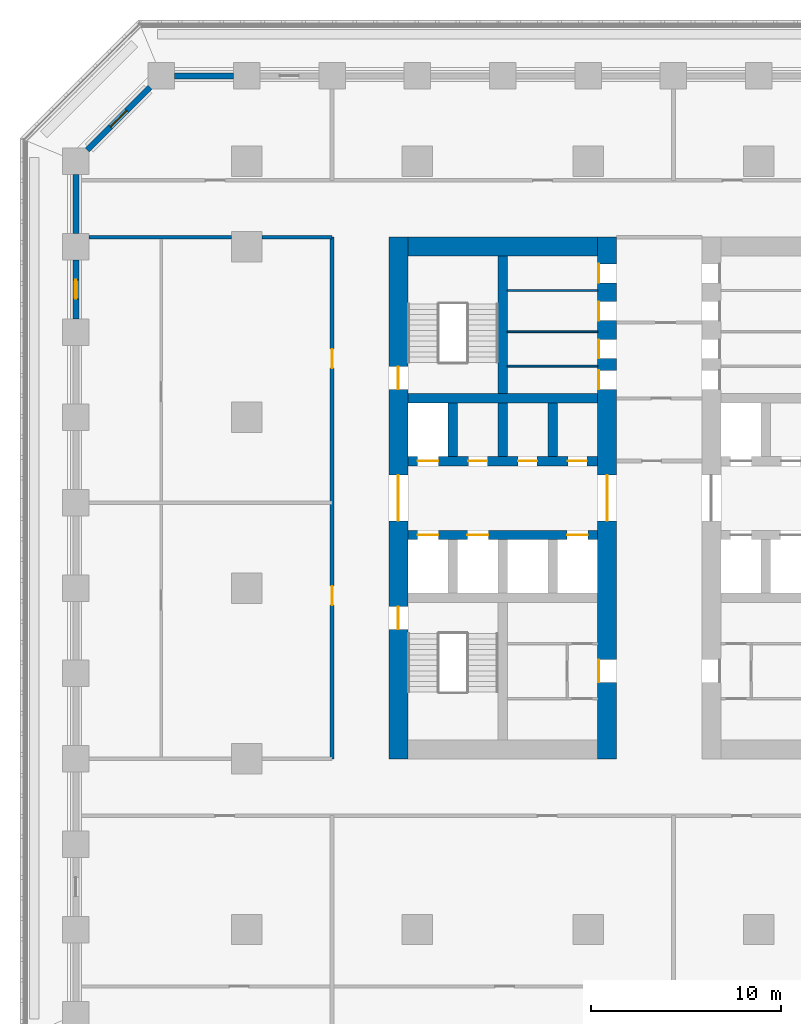
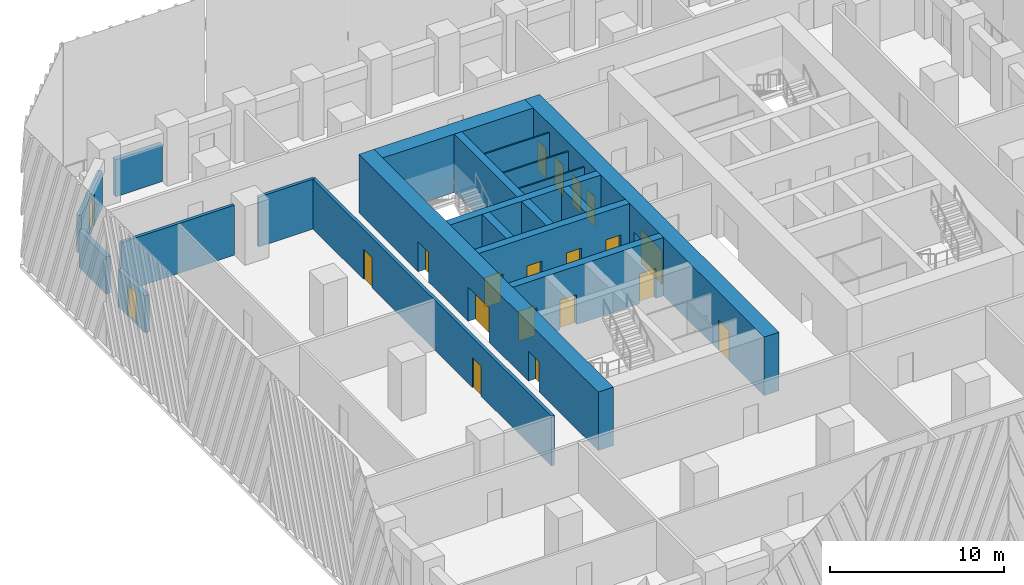
# One storey, part 4 of 12: 20 doors, 20 walls, 20 openings.
"""IFC4 building model written with IfcOpenShell, lengths in metres."""

from ifc_helpers import new_model, si_unit, direction, frame, frame_2d, origin, place, context, subcontext, project, spatial, rectangle, extrude, material, layer, layer_set, type_object, element, fill, save


model = new_model("IFC4")

# Units and contexts
model_context = context("Model", 3, precision=1e-05, world=origin(), true_north=direction((0.0, 1.0)))
body_context = subcontext(model_context, "Body", "Model", "MODEL_VIEW")
ifc_project = project(units=[si_unit("LENGTHUNIT", "METRE"), si_unit("AREAUNIT", "SQUARE_METRE"), si_unit("VOLUMEUNIT", "CUBIC_METRE"), si_unit("PLANEANGLEUNIT", "RADIAN"), si_unit("MASSUNIT", "GRAM", prefix="KILO")], contexts=[model_context])

# Site, building, storey
site_placement = place(None, origin())
site = spatial("IfcSite", under=ifc_project, at=site_placement, CompositionType="ELEMENT")
building_placement = place(site_placement, origin())
building = spatial("IfcBuilding", under=site, at=building_placement, Name="Corbel Stack Research Tower", CompositionType="ELEMENT")
storey_placement = place(building_placement, frame((0.0, 0.0, 31.800048828125)))
storey = spatial("IfcBuildingStorey", under=building, at=storey_placement, Name="L07", CompositionType="ELEMENT", Elevation=31.800048828125)

# Wall, openings, doors
ifc_material_1 = material(Name="Concrete C70/85", Category="concrete")
ifc_layer_1 = layer(ifc_material_1, 1.0)
ifc_layer_set_1 = layer_set([ifc_layer_1], Name="Concrete C70/85")
wall_type_1 = type_object("IfcWallType", Name="CW-1000-70", PredefinedType="SHEAR", material=ifc_layer_set_1)
wall_1_placement = place(storey_placement, frame((-10.0, -9.0, 0.0), z_axis=(0.0, 0.0, 1.0), x_axis=(0.0, 1.0, 0.0)))
wall_1 = element("IfcWall", 1, at=wall_1_placement, inside=storey, type_object=wall_type_1, Name="West core wall, west face L07", PredefinedType="SHEAR", context=body_context, shape_type="SweptSolid", body=[
    extrude(rectangle(XDim=27.5, YDim=1.0, at=frame_2d((13.75, 0.0))), origin(), (0.0, 0.0, 1.0), 4.099853515625),
])
opening_1_placement = place(wall_1_placement, frame((12.550048828125, 0.0, 0.0)))
opening_1 = element("IfcOpeningElement", 2, at=opening_1_placement, cuts=wall_1, Name="Opening CD-W-W", PredefinedType="OPENING", context=body_context, shape_type="SweptSolid", body=[
    extrude(rectangle(XDim=2.39990234375, YDim=2.39990234375, at=frame_2d((1.199951171875, 1.199951171875))), frame((0.0, 0.510009765625, 0.0), z_axis=(0.0, -1.0, 0.0), x_axis=(1.0, 0.0, 0.0)), (0.0, 0.0, 1.0), 1.02001953125),
])
opening_2_placement = place(wall_1_placement, frame((6.824951171875, 0.0, 0.0)))
opening_2 = element("IfcOpeningElement", 3, at=opening_2_placement, cuts=wall_1, Name="Opening SD-ST-W1", PredefinedType="OPENING", context=body_context, shape_type="SweptSolid", body=[
    extrude(rectangle(XDim=1.199951171875, YDim=2.10009765625, at=frame_2d((0.60009765625, 1.050048828125))), frame((0.0, 0.510009765625, 0.0), z_axis=(0.0, -1.0, 0.0), x_axis=(1.0, 0.0, 0.0)), (0.0, 0.0, 1.0), 1.02001953125),
])
opening_3_placement = place(wall_1_placement, frame((19.47509765625, 0.0, 0.0)))
opening_3 = element("IfcOpeningElement", 4, at=opening_3_placement, cuts=wall_1, Name="Opening SD-ST-W2", PredefinedType="OPENING", context=body_context, shape_type="SweptSolid", body=[
    extrude(rectangle(XDim=1.199951171875, YDim=2.10009765625, at=frame_2d((0.60009765625, 1.050048828125))), frame((0.0, 0.510009765625, 0.0), z_axis=(0.0, -1.0, 0.0), x_axis=(1.0, 0.0, 0.0)), (0.0, 0.0, 1.0), 1.02001953125),
])
ifc_material_2 = material(Name="Painted steel fire door", Category="steel")
door_type_1 = type_object("IfcDoorType", Name="Lobby door pair 2400 x 2400 FD30S", OperationType="DOUBLE_DOOR_DOUBLE_SWING", PredefinedType="DOOR", material=ifc_material_2)
door_1_placement = place(opening_1_placement, origin())
door_1 = element("IfcDoor", 5, at=door_1_placement, inside=storey, type_object=door_type_1, Name="Lift lobby door W core W", OperationType="DOUBLE_DOOR_DOUBLE_SWING", OverallHeight=2.39990234375, OverallWidth=2.39990234375, PredefinedType="DOOR", context=body_context, shape_type="SweptSolid", body=[
    extrude(rectangle(XDim=2.39990234375, YDim=2.39990234375, at=frame_2d((1.199951171875, 1.199951171875))), frame((0.0, 0.02490234375, 0.0), z_axis=(0.0, -1.0, 0.0), x_axis=(1.0, 0.0, 0.0)), (0.0, 0.0, 1.0), 0.050048828125),
])
fill(opening_1, door_1)
ifc_material_3 = material(Name="Painted steel fire door", Category="steel")
door_type_2 = type_object("IfcDoorType", Name="Stair door 1200 x 2100 FD90 left hand", OperationType="SINGLE_SWING_LEFT", PredefinedType="DOOR", material=ifc_material_3)
door_2_placement = place(opening_2_placement, origin())
door_2 = element("IfcDoor", 6, at=door_2_placement, inside=storey, type_object=door_type_2, Name="Stair door ST-W1", OperationType="SINGLE_SWING_LEFT", OverallHeight=2.10009765625, OverallWidth=1.199951171875, PredefinedType="DOOR", context=body_context, shape_type="SweptSolid", body=[
    extrude(rectangle(XDim=1.199951171875, YDim=2.10009765625, at=frame_2d((0.60009765625, 1.050048828125))), frame((0.0, 0.02490234375, 0.0), z_axis=(0.0, -1.0, 0.0), x_axis=(1.0, 0.0, 0.0)), (0.0, 0.0, 1.0), 0.050048828125),
])
fill(opening_2, door_2)
door_3_placement = place(opening_3_placement, origin())
door_3 = element("IfcDoor", 7, at=door_3_placement, inside=storey, type_object=door_type_2, Name="Stair door ST-W2", OperationType="SINGLE_SWING_LEFT", OverallHeight=2.10009765625, OverallWidth=1.199951171875, PredefinedType="DOOR", context=body_context, shape_type="SweptSolid", body=[
    extrude(rectangle(XDim=1.199951171875, YDim=2.10009765625, at=frame_2d((0.60009765625, 1.050048828125))), frame((0.0, 0.02490234375, 0.0), z_axis=(0.0, -1.0, 0.0), x_axis=(1.0, 0.0, 0.0)), (0.0, 0.0, 1.0), 0.050048828125),
])
fill(opening_3, door_3)

wall_2_placement = place(storey_placement, frame((1.0, -9.0, 0.0), z_axis=(0.0, 0.0, 1.0), x_axis=(0.0, 1.0, 0.0)))
wall_2 = element("IfcWall", 8, at=wall_2_placement, inside=storey, type_object=wall_type_1, Name="West core wall, east face L07", PredefinedType="SHEAR", context=body_context, shape_type="SweptSolid", body=[
    extrude(rectangle(XDim=27.5, YDim=1.0, at=frame_2d((13.75, 0.0))), origin(), (0.0, 0.0, 1.0), 4.099853515625),
])
opening_4_placement = place(wall_2_placement, frame((12.550048828125, 0.0, 0.0)))
opening_4 = element("IfcOpeningElement", 9, at=opening_4_placement, cuts=wall_2, Name="Opening CD-W-E", PredefinedType="OPENING", context=body_context, shape_type="SweptSolid", body=[
    extrude(rectangle(XDim=2.39990234375, YDim=2.39990234375, at=frame_2d((1.199951171875, 1.199951171875))), frame((0.0, 0.510009765625, 0.0), z_axis=(0.0, -1.0, 0.0), x_axis=(1.0, 0.0, 0.0)), (0.0, 0.0, 1.0), 1.02001953125),
])
opening_5_placement = place(wall_2_placement, frame((4.02490234375, 0.0, 0.0)))
opening_5 = element("IfcOpeningElement", 10, at=opening_5_placement, cuts=wall_2, Name="Opening CR-W36-W1-1200", PredefinedType="OPENING", context=body_context, shape_type="SweptSolid", body=[
    extrude(rectangle(XDim=1.199951171875, YDim=2.10009765625, at=frame_2d((0.60009765625, 1.050048828125))), frame((0.0, 0.510009765625, 0.0), z_axis=(0.0, -1.0, 0.0), x_axis=(1.0, 0.0, 0.0)), (0.0, 0.0, 1.0), 1.02001953125),
])
opening_6_placement = place(wall_2_placement, frame((19.47509765625, 0.0, 0.0)))
opening_6 = element("IfcOpeningElement", 11, at=opening_6_placement, cuts=wall_2, Name="Opening CR-W36-R1-1000", PredefinedType="OPENING", context=body_context, shape_type="SweptSolid", body=[
    extrude(rectangle(XDim=1.0, YDim=2.10009765625, at=frame_2d((0.5, 1.050048828125))), frame((0.0, 0.510009765625, 0.0), z_axis=(0.0, -1.0, 0.0), x_axis=(1.0, 0.0, 0.0)), (0.0, 0.0, 1.0), 1.02001953125),
])
opening_7_placement = place(wall_2_placement, frame((21.106201171875, 0.0, 0.0)))
opening_7 = element("IfcOpeningElement", 12, at=opening_7_placement, cuts=wall_2, Name="Opening CR-W36-R2-1000", PredefinedType="OPENING", context=body_context, shape_type="SweptSolid", body=[
    extrude(rectangle(XDim=1.0, YDim=2.10009765625, at=frame_2d((0.5, 1.050048828125))), frame((0.0, 0.510009765625, 0.0), z_axis=(0.0, -1.0, 0.0), x_axis=(1.0, 0.0, 0.0)), (0.0, 0.0, 1.0), 1.02001953125),
])
opening_8_placement = place(wall_2_placement, frame((23.10009765625, 0.0, 0.0)))
opening_8 = element("IfcOpeningElement", 13, at=opening_8_placement, cuts=wall_2, Name="Opening CR-W36-R3-1000", PredefinedType="OPENING", context=body_context, shape_type="SweptSolid", body=[
    extrude(rectangle(XDim=1.0, YDim=2.10009765625, at=frame_2d((0.5, 1.050048828125))), frame((0.0, 0.510009765625, 0.0), z_axis=(0.0, -1.0, 0.0), x_axis=(1.0, 0.0, 0.0)), (0.0, 0.0, 1.0), 1.02001953125),
])
opening_9_placement = place(wall_2_placement, frame((25.09375, 0.0, 0.0)))
opening_9 = element("IfcOpeningElement", 14, at=opening_9_placement, cuts=wall_2, Name="Opening CR-W36-R4-1000", PredefinedType="OPENING", context=body_context, shape_type="SweptSolid", body=[
    extrude(rectangle(XDim=1.0, YDim=2.10009765625, at=frame_2d((0.5, 1.050048828125))), frame((0.0, 0.510009765625, 0.0), z_axis=(0.0, -1.0, 0.0), x_axis=(1.0, 0.0, 0.0)), (0.0, 0.0, 1.0), 1.02001953125),
])
door_4_placement = place(opening_4_placement, origin())
door_4 = element("IfcDoor", 15, at=door_4_placement, inside=storey, type_object=door_type_1, Name="Lift lobby door W core E", OperationType="DOUBLE_DOOR_DOUBLE_SWING", OverallHeight=2.39990234375, OverallWidth=2.39990234375, PredefinedType="DOOR", context=body_context, shape_type="SweptSolid", body=[
    extrude(rectangle(XDim=2.39990234375, YDim=2.39990234375, at=frame_2d((1.199951171875, 1.199951171875))), frame((0.0, 0.02490234375, 0.0), z_axis=(0.0, -1.0, 0.0), x_axis=(1.0, 0.0, 0.0)), (0.0, 0.0, 1.0), 0.050048828125),
])
fill(opening_4, door_4)
ifc_material_4 = material(Name="Painted steel door", Category="steel")
door_type_3 = type_object("IfcDoorType", Name="Riser door 1000 x 2100 FD60 left hand", OperationType="SINGLE_SWING_LEFT", PredefinedType="DOOR", material=ifc_material_4)
door_5_placement = place(opening_6_placement, origin())
door_5 = element("IfcDoor", 16, at=door_5_placement, inside=storey, type_object=door_type_3, Name="Electrical riser door W core", OperationType="SINGLE_SWING_LEFT", OverallHeight=2.10009765625, OverallWidth=1.0, PredefinedType="DOOR", context=body_context, shape_type="SweptSolid", body=[
    extrude(rectangle(XDim=1.0, YDim=2.10009765625, at=frame_2d((0.5, 1.050048828125))), frame((0.0, 0.47509765625, 0.0), z_axis=(0.0, -1.0, 0.0), x_axis=(1.0, 0.0, 0.0)), (0.0, 0.0, 1.0), 0.050048828125),
])
fill(opening_6, door_5)
ifc_material_5 = material(Name="Painted steel door", Category="steel")
door_type_4 = type_object("IfcDoorType", Name="Riser door 1000 x 2100 FD60 right hand", OperationType="SINGLE_SWING_RIGHT", PredefinedType="DOOR", material=ifc_material_5)
door_6_placement = place(opening_7_placement, origin())
door_6 = element("IfcDoor", 17, at=door_6_placement, inside=storey, type_object=door_type_4, Name="Telecom room door W core", OperationType="SINGLE_SWING_RIGHT", OverallHeight=2.10009765625, OverallWidth=1.0, PredefinedType="DOOR", context=body_context, shape_type="SweptSolid", body=[
    extrude(rectangle(XDim=1.0, YDim=2.10009765625, at=frame_2d((0.5, 1.050048828125))), frame((0.0, 0.47509765625, 0.0), z_axis=(0.0, -1.0, 0.0), x_axis=(1.0, 0.0, 0.0)), (0.0, 0.0, 1.0), 0.050048828125),
])
fill(opening_7, door_6)
ifc_material_6 = material(Name="Painted steel door", Category="steel")
door_type_5 = type_object("IfcDoorType", Name="Service door 1000 x 2100 FD30 left hand", OperationType="SINGLE_SWING_LEFT", PredefinedType="DOOR", material=ifc_material_6)
door_7_placement = place(opening_8_placement, origin())
door_7 = element("IfcDoor", 18, at=door_7_placement, inside=storey, type_object=door_type_5, Name="Pantry door W core", OperationType="SINGLE_SWING_LEFT", OverallHeight=2.10009765625, OverallWidth=1.0, PredefinedType="DOOR", context=body_context, shape_type="SweptSolid", body=[
    extrude(rectangle(XDim=1.0, YDim=2.10009765625, at=frame_2d((0.5, 1.050048828125))), frame((0.0, 0.47509765625, 0.0), z_axis=(0.0, -1.0, 0.0), x_axis=(1.0, 0.0, 0.0)), (0.0, 0.0, 1.0), 0.050048828125),
])
fill(opening_8, door_7)
ifc_material_7 = material(Name="Painted steel door", Category="steel")
door_type_6 = type_object("IfcDoorType", Name="Service door 1000 x 2100 FD30 right hand", OperationType="SINGLE_SWING_RIGHT", PredefinedType="DOOR", material=ifc_material_7)
door_8_placement = place(opening_9_placement, origin())
door_8 = element("IfcDoor", 19, at=door_8_placement, inside=storey, type_object=door_type_6, Name="Cleaner's store door W core", OperationType="SINGLE_SWING_RIGHT", OverallHeight=2.10009765625, OverallWidth=1.0, PredefinedType="DOOR", context=body_context, shape_type="SweptSolid", body=[
    extrude(rectangle(XDim=1.0, YDim=2.10009765625, at=frame_2d((0.5, 1.050048828125))), frame((0.0, 0.47509765625, 0.0), z_axis=(0.0, -1.0, 0.0), x_axis=(1.0, 0.0, 0.0)), (0.0, 0.0, 1.0), 0.050048828125),
])
fill(opening_9, door_8)
ifc_material_8 = material(Name="Painted timber door", Category="wood")
door_type_7 = type_object("IfcDoorType", Name="WC door 1200 x 2100 left hand", OperationType="SINGLE_SWING_LEFT", PredefinedType="DOOR", material=ifc_material_8)
door_9_placement = place(opening_5_placement, origin())
door_9 = element("IfcDoor", 20, at=door_9_placement, inside=storey, type_object=door_type_7, Name="WC lobby door W core", OperationType="SINGLE_SWING_LEFT", OverallHeight=2.10009765625, OverallWidth=1.199951171875, PredefinedType="DOOR", context=body_context, shape_type="SweptSolid", body=[
    extrude(rectangle(XDim=1.199951171875, YDim=2.10009765625, at=frame_2d((0.60009765625, 1.050048828125))), frame((0.0, 0.47509765625, 0.0), z_axis=(0.0, -1.0, 0.0), x_axis=(1.0, 0.0, 0.0)), (0.0, 0.0, 1.0), 0.050048828125),
])
fill(opening_5, door_9)

# Wall
wall_3_placement = place(storey_placement, frame((-9.5, 18.0, 0.0), z_axis=(0.0, 0.0, 1.0), x_axis=(1.0, 0.0, 0.0)))
element("IfcWall", 21, at=wall_3_placement, inside=storey, type_object=wall_type_1, Name="West core wall, north end L07", PredefinedType="SHEAR", context=body_context, shape_type="SweptSolid", body=[
    extrude(rectangle(XDim=10.0, YDim=1.0, at=frame_2d((5.0, 0.0))), origin(), (0.0, 0.0, 1.0), 4.099853515625),
])

# Wall, openings, doors
ifc_material_9 = material(Name="Concrete C70/85", Category="concrete")
ifc_layer_2 = layer(ifc_material_9, 0.5)
ifc_layer_set_2 = layer_set([ifc_layer_2], Name="Concrete C70/85")
wall_type_2 = type_object("IfcWallType", Name="CW-500-70", PredefinedType="SHEAR", material=ifc_layer_set_2)
wall_4_placement = place(storey_placement, frame((-9.5, 2.800048828125, 0.0), z_axis=(0.0, 0.0, 1.0), x_axis=(1.0, 0.0, 0.0)))
wall_4 = element("IfcWall", 22, at=wall_4_placement, inside=storey, type_object=wall_type_2, Name="West core wall, lobby south L07", PredefinedType="SHEAR", context=body_context, shape_type="SweptSolid", body=[
    extrude(rectangle(XDim=10.0, YDim=0.5, at=frame_2d((5.0, 0.0))), origin(), (0.0, 0.0, 1.0), 4.099853515625),
])
opening_10_placement = place(wall_4_placement, frame((0.512451171875, 0.0, 0.0)))
opening_10 = element("IfcOpeningElement", 23, at=opening_10_placement, cuts=wall_4, Name="Opening LD-FS1", PredefinedType="OPENING", context=body_context, shape_type="SweptSolid", body=[
    extrude(rectangle(XDim=1.10009765625, YDim=2.10009765625, at=frame_2d((0.550048828125, 1.050048828125))), frame((0.0, 0.260009765625, 0.0), z_axis=(0.0, -1.0, 0.0), x_axis=(1.0, 0.0, 0.0)), (0.0, 0.0, 1.0), 0.52001953125),
])
opening_11_placement = place(wall_4_placement, frame((3.137451171875, 0.0, 0.0)))
opening_11 = element("IfcOpeningElement", 24, at=opening_11_placement, cuts=wall_4, Name="Opening LD-GL1", PredefinedType="OPENING", context=body_context, shape_type="SweptSolid", body=[
    extrude(rectangle(XDim=1.10009765625, YDim=2.10009765625, at=frame_2d((0.550048828125, 1.050048828125))), frame((0.0, 0.260009765625, 0.0), z_axis=(0.0, -1.0, 0.0), x_axis=(1.0, 0.0, 0.0)), (0.0, 0.0, 1.0), 0.52001953125),
])
opening_12_placement = place(wall_4_placement, frame((8.387451171875, 0.0, 0.0)))
opening_12 = element("IfcOpeningElement", 25, at=opening_12_placement, cuts=wall_4, Name="Opening LD-LR1", PredefinedType="OPENING", context=body_context, shape_type="SweptSolid", body=[
    extrude(rectangle(XDim=1.10009765625, YDim=2.10009765625, at=frame_2d((0.550048828125, 1.050048828125))), frame((0.0, 0.260009765625, 0.0), z_axis=(0.0, -1.0, 0.0), x_axis=(1.0, 0.0, 0.0)), (0.0, 0.0, 1.0), 0.52001953125),
])
ifc_material_10 = material(Name="Stainless steel landing door", Category="steel")
door_type_8 = type_object("IfcDoorType", Name="Lift landing door 1100 x 2100", OperationType="DOUBLE_DOOR_SLIDING", PredefinedType="DOOR", material=ifc_material_10)
door_10_placement = place(opening_10_placement, origin())
door_10 = element("IfcDoor", 26, at=door_10_placement, inside=storey, type_object=door_type_8, Name="Landing door FS1", OperationType="DOUBLE_DOOR_SLIDING", OverallHeight=2.10009765625, OverallWidth=1.10009765625, PredefinedType="DOOR", context=body_context, shape_type="SweptSolid", body=[
    extrude(rectangle(XDim=1.10009765625, YDim=2.10009765625, at=frame_2d((0.550048828125, 1.050048828125))), frame((0.0, 0.02490234375, 0.0), z_axis=(0.0, -1.0, 0.0), x_axis=(1.0, 0.0, 0.0)), (0.0, 0.0, 1.0), 0.050048828125),
])
fill(opening_10, door_10)
door_11_placement = place(opening_11_placement, origin())
door_11 = element("IfcDoor", 27, at=door_11_placement, inside=storey, type_object=door_type_8, Name="Landing door GL1", OperationType="DOUBLE_DOOR_SLIDING", OverallHeight=2.10009765625, OverallWidth=1.10009765625, PredefinedType="DOOR", context=body_context, shape_type="SweptSolid", body=[
    extrude(rectangle(XDim=1.10009765625, YDim=2.10009765625, at=frame_2d((0.550048828125, 1.050048828125))), frame((0.0, 0.02490234375, 0.0), z_axis=(0.0, -1.0, 0.0), x_axis=(1.0, 0.0, 0.0)), (0.0, 0.0, 1.0), 0.050048828125),
])
fill(opening_11, door_11)
door_12_placement = place(opening_12_placement, origin())
door_12 = element("IfcDoor", 28, at=door_12_placement, inside=storey, type_object=door_type_8, Name="Landing door LR1", OperationType="DOUBLE_DOOR_SLIDING", OverallHeight=2.10009765625, OverallWidth=1.10009765625, PredefinedType="DOOR", context=body_context, shape_type="SweptSolid", body=[
    extrude(rectangle(XDim=1.10009765625, YDim=2.10009765625, at=frame_2d((0.550048828125, 1.050048828125))), frame((0.0, 0.02490234375, 0.0), z_axis=(0.0, -1.0, 0.0), x_axis=(1.0, 0.0, 0.0)), (0.0, 0.0, 1.0), 0.050048828125),
])
fill(opening_12, door_12)

wall_5_placement = place(storey_placement, frame((-9.5, 6.699951171875, 0.0), z_axis=(0.0, 0.0, 1.0), x_axis=(1.0, 0.0, 0.0)))
wall_5 = element("IfcWall", 29, at=wall_5_placement, inside=storey, type_object=wall_type_2, Name="West core wall, lobby north L07", PredefinedType="SHEAR", context=body_context, shape_type="SweptSolid", body=[
    extrude(rectangle(XDim=10.0, YDim=0.5, at=frame_2d((5.0, 0.0))), origin(), (0.0, 0.0, 1.0), 4.099853515625),
])
opening_13_placement = place(wall_5_placement, frame((0.512451171875, 0.0, 0.0)))
opening_13 = element("IfcOpeningElement", 30, at=opening_13_placement, cuts=wall_5, Name="Opening LD-LR2", PredefinedType="OPENING", context=body_context, shape_type="SweptSolid", body=[
    extrude(rectangle(XDim=1.10009765625, YDim=2.10009765625, at=frame_2d((0.550048828125, 1.050048828125))), frame((0.0, 0.260009765625, 0.0), z_axis=(0.0, -1.0, 0.0), x_axis=(1.0, 0.0, 0.0)), (0.0, 0.0, 1.0), 0.52001953125),
])
opening_14_placement = place(wall_5_placement, frame((3.1875, 0.0, 0.0)))
opening_14 = element("IfcOpeningElement", 31, at=opening_14_placement, cuts=wall_5, Name="Opening CR-W36-N2", PredefinedType="OPENING", context=body_context, shape_type="SweptSolid", body=[
    extrude(rectangle(XDim=1.0, YDim=2.10009765625, at=frame_2d((0.5, 1.050048828125))), frame((0.0, 0.260009765625, 0.0), z_axis=(0.0, -1.0, 0.0), x_axis=(1.0, 0.0, 0.0)), (0.0, 0.0, 1.0), 0.52001953125),
])
opening_15_placement = place(wall_5_placement, frame((5.8125, 0.0, 0.0)))
opening_15 = element("IfcOpeningElement", 32, at=opening_15_placement, cuts=wall_5, Name="Opening CR-W36-N3", PredefinedType="OPENING", context=body_context, shape_type="SweptSolid", body=[
    extrude(rectangle(XDim=1.0, YDim=2.10009765625, at=frame_2d((0.5, 1.050048828125))), frame((0.0, 0.260009765625, 0.0), z_axis=(0.0, -1.0, 0.0), x_axis=(1.0, 0.0, 0.0)), (0.0, 0.0, 1.0), 0.52001953125),
])
opening_16_placement = place(wall_5_placement, frame((8.4375, 0.0, 0.0)))
opening_16 = element("IfcOpeningElement", 33, at=opening_16_placement, cuts=wall_5, Name="Opening CR-W36-N4", PredefinedType="OPENING", context=body_context, shape_type="SweptSolid", body=[
    extrude(rectangle(XDim=1.0, YDim=2.10009765625, at=frame_2d((0.5, 1.050048828125))), frame((0.0, 0.260009765625, 0.0), z_axis=(0.0, -1.0, 0.0), x_axis=(1.0, 0.0, 0.0)), (0.0, 0.0, 1.0), 0.52001953125),
])
door_13_placement = place(opening_13_placement, origin())
door_13 = element("IfcDoor", 34, at=door_13_placement, inside=storey, type_object=door_type_8, Name="Landing door LR2", OperationType="DOUBLE_DOOR_SLIDING", OverallHeight=2.10009765625, OverallWidth=1.10009765625, PredefinedType="DOOR", context=body_context, shape_type="SweptSolid", body=[
    extrude(rectangle(XDim=1.10009765625, YDim=2.10009765625, at=frame_2d((0.550048828125, 1.050048828125))), frame((0.0, 0.02490234375, 0.0), z_axis=(0.0, -1.0, 0.0), x_axis=(1.0, 0.0, 0.0)), (0.0, 0.0, 1.0), 0.050048828125),
])
fill(opening_13, door_13)
ifc_material_11 = material(Name="Painted steel door", Category="steel")
door_type_9 = type_object("IfcDoorType", Name="Service door 1000 x 2100 FD60 left hand", OperationType="SINGLE_SWING_LEFT", PredefinedType="DOOR", material=ifc_material_11)
door_14_placement = place(opening_15_placement, origin())
door_14 = element("IfcDoor", 35, at=door_14_placement, inside=storey, type_object=door_type_9, Name="Telecom room door W core", OperationType="SINGLE_SWING_LEFT", OverallHeight=2.10009765625, OverallWidth=1.0, PredefinedType="DOOR", context=body_context, shape_type="SweptSolid", body=[
    extrude(rectangle(XDim=1.0, YDim=2.10009765625, at=frame_2d((0.5, 1.050048828125))), frame((0.0, 0.02490234375, 0.0), z_axis=(0.0, -1.0, 0.0), x_axis=(1.0, 0.0, 0.0)), (0.0, 0.0, 1.0), 0.050048828125),
])
fill(opening_15, door_14)
ifc_material_12 = material(Name="Painted steel door", Category="steel")
door_type_10 = type_object("IfcDoorType", Name="Service door 1000 x 2100 FD60 right hand", OperationType="SINGLE_SWING_RIGHT", PredefinedType="DOOR", material=ifc_material_12)
door_15_placement = place(opening_14_placement, origin())
door_15 = element("IfcDoor", 36, at=door_15_placement, inside=storey, type_object=door_type_10, Name="Mechanical room door W core", OperationType="SINGLE_SWING_RIGHT", OverallHeight=2.10009765625, OverallWidth=1.0, PredefinedType="DOOR", context=body_context, shape_type="SweptSolid", body=[
    extrude(rectangle(XDim=1.0, YDim=2.10009765625, at=frame_2d((0.5, 1.050048828125))), frame((0.0, 0.02490234375, 0.0), z_axis=(0.0, -1.0, 0.0), x_axis=(1.0, 0.0, 0.0)), (0.0, 0.0, 1.0), 0.050048828125),
])
fill(opening_14, door_15)
door_16_placement = place(opening_16_placement, origin())
door_16 = element("IfcDoor", 37, at=door_16_placement, inside=storey, type_object=door_type_10, Name="Copy and supply store door W core", OperationType="SINGLE_SWING_RIGHT", OverallHeight=2.10009765625, OverallWidth=1.0, PredefinedType="DOOR", context=body_context, shape_type="SweptSolid", body=[
    extrude(rectangle(XDim=1.0, YDim=2.10009765625, at=frame_2d((0.5, 1.050048828125))), frame((0.0, 0.02490234375, 0.0), z_axis=(0.0, -1.0, 0.0), x_axis=(1.0, 0.0, 0.0)), (0.0, 0.0, 1.0), 0.050048828125),
])
fill(opening_16, door_16)

# Walls
wall_6_placement = place(storey_placement, frame((-9.5, 10.0, 0.0), z_axis=(0.0, 0.0, 1.0), x_axis=(1.0, 0.0, 0.0)))
element("IfcWall", 38, at=wall_6_placement, inside=storey, type_object=wall_type_2, Name="West core wall, north row back L07", PredefinedType="SHEAR", context=body_context, shape_type="SweptSolid", body=[
    extrude(rectangle(XDim=10.0, YDim=0.5, at=frame_2d((5.0, 0.0))), origin(), (0.0, 0.0, 1.0), 4.099853515625),
])
for number, where, z_axis, x_axis, name in (
    (39, (-7.125, 6.949951171875, 0.0), (0.0, 0.0, 1.0), (0.0, 1.0, 0.0), "West core wall, north shaft 1 L07"),
    (40, (-4.5, 6.949951171875, 0.0), (0.0, 0.0, 1.0), (0.0, 1.0, 0.0), "West core wall, north shaft 2 L07"),
    (41, (-1.875, 6.949951171875, 0.0), (0.0, 0.0, 1.0), (0.0, 1.0, 0.0), "West core wall, north shaft 3 L07"),
):
    element("IfcWall", number, at=place(storey_placement, frame(where, z_axis=z_axis, x_axis=x_axis)), inside=storey, type_object=wall_type_2, Name=name, PredefinedType="SHEAR", context=body_context, shape_type="SweptSolid", body=[
        extrude(rectangle(XDim=2.800048828125, YDim=0.5, at=frame_2d((1.39990234375, 0.0))), origin(), (0.0, 0.0, 1.0), 4.099853515625),
    ])
wall_7_placement = place(storey_placement, frame((-4.5, 10.25, 0.0), z_axis=(0.0, 0.0, 1.0), x_axis=(0.0, 1.0, 0.0)))
element("IfcWall", 42, at=wall_7_placement, inside=storey, type_object=wall_type_2, Name="West core wall, north stair and riser L07", PredefinedType="SHEAR", context=body_context, shape_type="SweptSolid", body=[
    extrude(rectangle(XDim=7.25, YDim=0.5, at=frame_2d((3.625, 0.0))), origin(), (0.0, 0.0, 1.0), 4.099853515625),
])
ifc_material_13 = material(Name="Gypsum board")
ifc_layer_3 = layer(ifc_material_13, 0.10009765625)
ifc_layer_set_3 = layer_set([ifc_layer_3], Name="Gypsum board")
wall_type_3 = type_object("IfcWallType", Name="Core partition 100", PredefinedType="PARTITIONING", material=ifc_layer_set_3)
for number, where, z_axis, x_axis, name in (
    (43, (-4.25, 11.699951171875, 0.0), (0.0, 0.0, 1.0), (1.0, 0.0, 0.0), "Core partition W"),
    (44, (-4.25, 13.512451171875, 0.0), (0.0, 0.0, 1.0), (1.0, 0.0, 0.0), "Core partition W"),
    (45, (-4.25, 15.6875, 0.0), (0.0, 0.0, 1.0), (1.0, 0.0, 0.0), "Core partition W"),
):
    element("IfcWall", number, at=place(storey_placement, frame(where, z_axis=z_axis, x_axis=x_axis)), inside=storey, type_object=wall_type_3, Name=name, PredefinedType="PARTITIONING", context=body_context, shape_type="SweptSolid", body=[
        extrude(rectangle(XDim=4.75, YDim=0.10009765625, at=frame_2d((2.375, 0.0))), origin(), (0.0, 0.0, 1.0), 3.5),
    ])

# Wall, openings, doors
ifc_material_14 = material(Name="Fire-rated gypsum board partition on steel studs", Category="steel")
ifc_layer_4 = layer(ifc_material_14, 0.199951171875)
ifc_layer_set_4 = layer_set([ifc_layer_4], Name="Fire-rated gypsum board partition on steel studs")
wall_type_4 = type_object("IfcWallType", Name="Fire-rated partition 200 EI 60", PredefinedType="PARTITIONING", material=ifc_layer_set_4)
wall_8_placement = place(storey_placement, frame((-13.5, -9.0, 0.0), z_axis=(0.0, 0.0, 1.0), x_axis=(0.0, 1.0, 0.0)))
wall_8 = element("IfcWall", 46, at=wall_8_placement, inside=storey, type_object=wall_type_4, Name="Partition L07-003", PredefinedType="PARTITIONING", context=body_context, shape_type="SweptSolid", body=[
    extrude(rectangle(XDim=27.5, YDim=0.199951171875, at=frame_2d((13.75, 0.0))), origin(), (0.0, 0.0, 1.0), 3.5),
])
opening_17_placement = place(wall_8_placement, frame((8.10009765625, 0.0, 0.0)))
opening_17 = element("IfcOpeningElement", 47, at=opening_17_placement, cuts=wall_8, Name="Opening B1V2-007", PredefinedType="OPENING", context=body_context, shape_type="SweptSolid", body=[
    extrude(rectangle(XDim=1.0, YDim=2.10009765625, at=frame_2d((0.5, 1.050048828125))), frame((0.0, 0.10986328125, 0.0), z_axis=(0.0, -1.0, 0.0), x_axis=(1.0, 0.0, 0.0)), (0.0, 0.0, 1.0), 0.219970703125),
])
opening_18_placement = place(wall_8_placement, frame((20.60009765625, 0.0, 0.0)))
opening_18 = element("IfcOpeningElement", 48, at=opening_18_placement, cuts=wall_8, Name="Opening B1V2-008", PredefinedType="OPENING", context=body_context, shape_type="SweptSolid", body=[
    extrude(rectangle(XDim=1.0, YDim=2.10009765625, at=frame_2d((0.5, 1.050048828125))), frame((0.0, 0.10986328125, 0.0), z_axis=(0.0, -1.0, 0.0), x_axis=(1.0, 0.0, 0.0)), (0.0, 0.0, 1.0), 0.219970703125),
])
ifc_material_15 = material(Name="Painted steel fire door", Category="steel")
door_type_11 = type_object("IfcDoorType", Name="Fire door FD30S 1000 x 2100", OperationType="NOTDEFINED", PredefinedType="DOOR", material=ifc_material_15)
door_17_placement = place(opening_17_placement, origin())
door_17 = element("IfcDoor", 49, at=door_17_placement, inside=storey, type_object=door_type_11, Name="Door B1V2-007", OperationType="SINGLE_SWING_LEFT", OverallHeight=2.10009765625, OverallWidth=1.0, PredefinedType="DOOR", context=body_context, shape_type="SweptSolid", body=[
    extrude(rectangle(XDim=1.0, YDim=2.10009765625, at=frame_2d((0.5, 1.050048828125))), frame((0.0, 0.02490234375, 0.0), z_axis=(0.0, -1.0, 0.0), x_axis=(1.0, 0.0, 0.0)), (0.0, 0.0, 1.0), 0.050048828125),
])
fill(opening_17, door_17)
door_18_placement = place(opening_18_placement, origin())
door_18 = element("IfcDoor", 50, at=door_18_placement, inside=storey, type_object=door_type_11, Name="Door B1V2-008", OperationType="SINGLE_SWING_RIGHT", OverallHeight=2.10009765625, OverallWidth=1.0, PredefinedType="DOOR", context=body_context, shape_type="SweptSolid", body=[
    extrude(rectangle(XDim=1.0, YDim=2.10009765625, at=frame_2d((0.5, 1.050048828125))), frame((0.0, 0.02490234375, 0.0), z_axis=(0.0, -1.0, 0.0), x_axis=(1.0, 0.0, 0.0)), (0.0, 0.0, 1.0), 0.050048828125),
])
fill(opening_18, door_18)

# Walls
wall_9_placement = place(storey_placement, frame((-26.300048828125, 18.5, 0.0), z_axis=(0.0, 0.0, 1.0), x_axis=(1.0, 0.0, 0.0)))
element("IfcWall", 51, at=wall_9_placement, inside=storey, type_object=wall_type_4, Name="Partition L07-021", PredefinedType="PARTITIONING", context=body_context, shape_type="SweptSolid", body=[
    extrude(rectangle(XDim=7.5, YDim=0.199951171875, at=frame_2d((3.75, 0.0))), origin(), (0.0, 0.0, 1.0), 3.5),
])
wall_10_placement = place(storey_placement, frame((-17.199951171875, 18.5, 0.0), z_axis=(0.0, 0.0, 1.0), x_axis=(1.0, 0.0, 0.0)))
element("IfcWall", 52, at=wall_10_placement, inside=storey, type_object=wall_type_4, Name="Partition L07-022", PredefinedType="PARTITIONING", context=body_context, shape_type="SweptSolid", body=[
    extrude(rectangle(XDim=3.699951171875, YDim=0.199951171875, at=frame_2d((1.85009765625, 0.0))), origin(), (0.0, 0.0, 1.0), 3.5),
])
ifc_material_16 = material(Name="Concrete C45/55", Category="concrete")
ifc_layer_5 = layer(ifc_material_16, 0.300048828125)
ifc_layer_set_5 = layer_set([ifc_layer_5], Name="Concrete C45/55")
wall_type_5 = type_object("IfcWallType", Name="Terracotta-faced concrete wall 300", PredefinedType="SOLIDWALL", material=ifc_layer_set_5)
wall_11_placement = place(storey_placement, frame((-21.800048828125, 27.0, 0.0), z_axis=(0.0, 0.0, 1.0), x_axis=(1.0, 0.0, 0.0)))
element("IfcWall", 53, at=wall_11_placement, inside=storey, type_object=wall_type_5, Name="Facade wall L07 N10", PredefinedType="SOLIDWALL", context=body_context, shape_type="SweptSolid", body=[
    extrude(rectangle(XDim=3.10009765625, YDim=0.300048828125, at=frame_2d((1.550048828125, 0.0))), origin(), (0.0, 0.0, 1.0), 2.599853515625),
])

# Wall, opening, door
wall_12_placement = place(storey_placement, frame((-26.406005859375, 23.093994140625, 0.0), z_axis=(0.0, 0.0, 1.0), x_axis=(0.707106781187, 0.707106781187, 0.0)))
wall_12 = element("IfcWall", 54, at=wall_12_placement, inside=storey, type_object=wall_type_5, Name="Facade wall L07 NW01", PredefinedType="SOLIDWALL", context=body_context, shape_type="SweptSolid", body=[
    extrude(rectangle(XDim=4.683837890625, YDim=0.300048828125, at=frame_2d((2.341796875, 0.0))), origin(), (0.0, 0.0, 1.0), 2.599853515625),
])
opening_19_placement = place(wall_12_placement, frame((1.741943359375, 0.0, 0.0)))
opening_19 = element("IfcOpeningElement", 55, at=opening_19_placement, cuts=wall_12, Name="Opening L07-B09", PredefinedType="OPENING", context=body_context, shape_type="SweptSolid", body=[
    extrude(rectangle(XDim=1.199951171875, YDim=2.199951171875, at=frame_2d((0.60009765625, 1.10009765625))), frame((0.0, 0.159912109375, 0.0), z_axis=(0.0, -1.0, 0.0), x_axis=(1.0, 0.0, 0.0)), (0.0, 0.0, 1.0), 0.320068359375),
])
ifc_material_17 = material(Name="Aluminium frame, clear double glazing", Category="aluminium")
door_type_12 = type_object("IfcDoorType", Name="Balcony door BD2 1200 x 2200", OperationType="NOTDEFINED", PredefinedType="DOOR", material=ifc_material_17)
door_19_placement = place(opening_19_placement, origin())
door_19 = element("IfcDoor", 56, at=door_19_placement, inside=storey, type_object=door_type_12, Name="Balcony door L07-B09", OperationType="SINGLE_SWING_RIGHT", OverallHeight=2.199951171875, OverallWidth=1.199951171875, PredefinedType="DOOR", context=body_context, shape_type="SweptSolid", body=[
    extrude(rectangle(XDim=1.199951171875, YDim=2.199951171875, at=frame_2d((0.60009765625, 1.10009765625))), frame((0.0, 0.02490234375, 0.0), z_axis=(0.0, -1.0, 0.0), x_axis=(1.0, 0.0, 0.0)), (0.0, 0.0, 1.0), 0.050048828125),
])
fill(opening_19, door_19)

# Wall
wall_13_placement = place(storey_placement, frame((-27.0, 18.699951171875, 0.0), z_axis=(0.0, 0.0, 1.0), x_axis=(0.0, 1.0, 0.0)))
element("IfcWall", 57, at=wall_13_placement, inside=storey, type_object=wall_type_5, Name="Facade wall L07 W01", PredefinedType="SOLIDWALL", context=body_context, shape_type="SweptSolid", body=[
    extrude(rectangle(XDim=3.10009765625, YDim=0.300048828125, at=frame_2d((1.550048828125, 0.0))), origin(), (0.0, 0.0, 1.0), 2.599853515625),
])

# Wall, opening, door
wall_14_placement = place(storey_placement, frame((-27.0, 14.199951171875, 0.0), z_axis=(0.0, 0.0, 1.0), x_axis=(0.0, 1.0, 0.0)))
wall_14 = element("IfcWall", 58, at=wall_14_placement, inside=storey, type_object=wall_type_5, Name="Facade wall L07 W02", PredefinedType="SOLIDWALL", context=body_context, shape_type="SweptSolid", body=[
    extrude(rectangle(XDim=3.10009765625, YDim=0.300048828125, at=frame_2d((1.550048828125, 0.0))), origin(), (0.0, 0.0, 1.0), 2.599853515625),
])
opening_20_placement = place(wall_14_placement, frame((1.050048828125, 0.0, 0.0)))
opening_20 = element("IfcOpeningElement", 59, at=opening_20_placement, cuts=wall_14, Name="Opening L07-B10", PredefinedType="OPENING", context=body_context, shape_type="SweptSolid", body=[
    extrude(rectangle(XDim=1.0, YDim=2.199951171875, at=frame_2d((0.5, 1.10009765625))), frame((0.0, 0.159912109375, 0.0), z_axis=(0.0, -1.0, 0.0), x_axis=(1.0, 0.0, 0.0)), (0.0, 0.0, 1.0), 0.320068359375),
])
ifc_material_18 = material(Name="Aluminium frame, clear double glazing", Category="aluminium")
door_type_13 = type_object("IfcDoorType", Name="Balcony door BD1 1000 x 2200", OperationType="NOTDEFINED", PredefinedType="DOOR", material=ifc_material_18)
door_20_placement = place(opening_20_placement, origin())
door_20 = element("IfcDoor", 60, at=door_20_placement, inside=storey, type_object=door_type_13, Name="Balcony door L07-B10", OperationType="SINGLE_SWING_LEFT", OverallHeight=2.199951171875, OverallWidth=1.0, PredefinedType="DOOR", context=body_context, shape_type="SweptSolid", body=[
    extrude(rectangle(XDim=1.0, YDim=2.199951171875, at=frame_2d((0.5, 1.10009765625))), frame((0.0, 0.02490234375, 0.0), z_axis=(0.0, -1.0, 0.0), x_axis=(1.0, 0.0, 0.0)), (0.0, 0.0, 1.0), 0.050048828125),
])
fill(opening_20, door_20)

save(model, "model.ifc")
